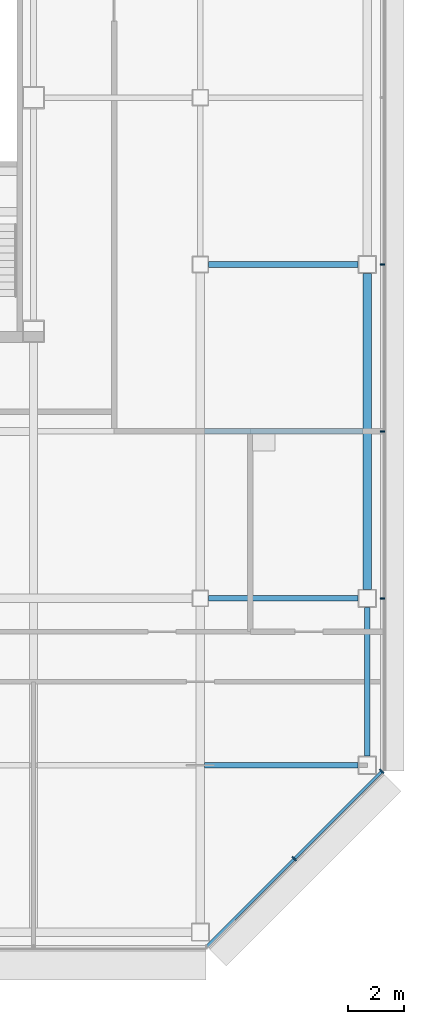
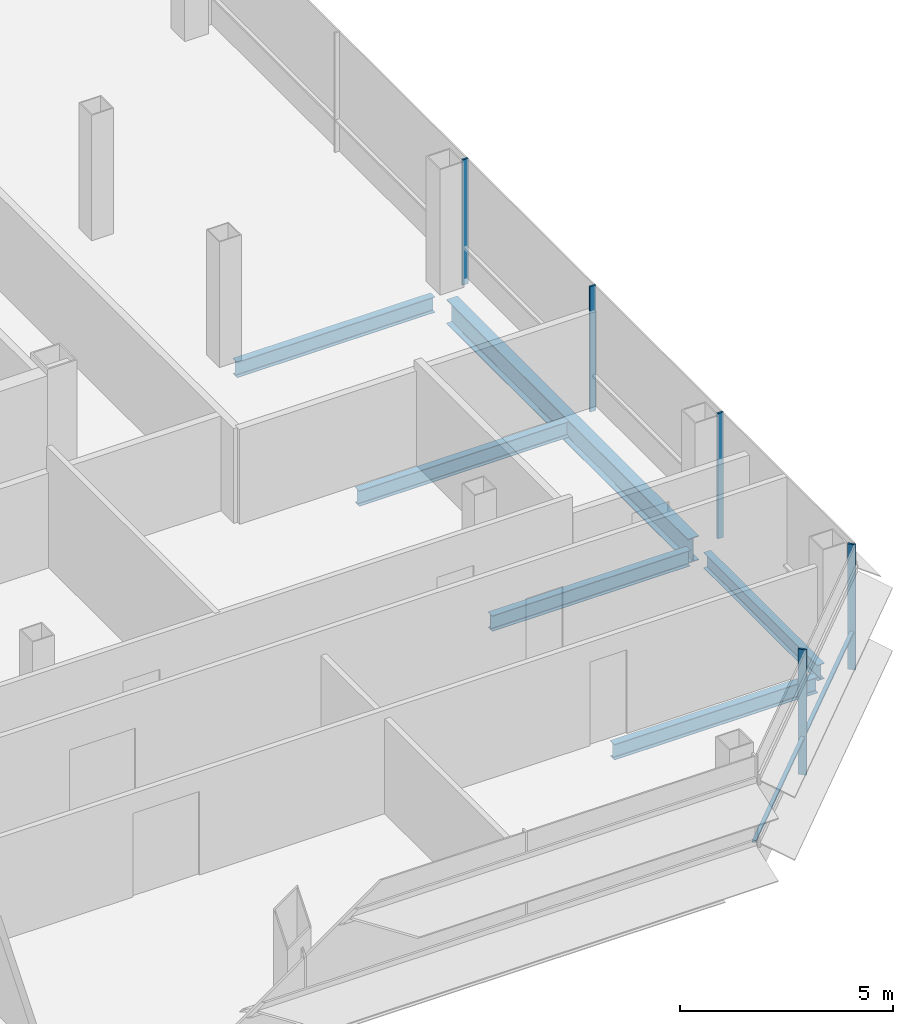
# One storey, part 16 of 26: 6 beams, 6 members, 2 elements without a shape of their own.
"""IFC4 building model written with IfcOpenShell, lengths in metres."""

from ifc_helpers import new_model, si_unit, direction, frame, origin, origin_2d, place, context, subcontext, project, spatial, rectangle, i_section, extrude, material, material_profile, profile_set, type_object, element, aggregate, save


model = new_model("IFC4")

# Units and contexts
model_context = context("Model", 3, precision=1e-05, world=origin(), true_north=direction((0.0, 1.0)))
body_context = subcontext(model_context, "Body", "Model", "MODEL_VIEW")
ifc_project = project(units=[si_unit("LENGTHUNIT", "METRE"), si_unit("AREAUNIT", "SQUARE_METRE"), si_unit("VOLUMEUNIT", "CUBIC_METRE"), si_unit("PLANEANGLEUNIT", "RADIAN"), si_unit("MASSUNIT", "GRAM", prefix="KILO")], contexts=[model_context])

# Site, building, storey
site_placement = place(None, origin())
site = spatial("IfcSite", under=ifc_project, at=site_placement, CompositionType="ELEMENT")
building_placement = place(site_placement, origin())
building = spatial("IfcBuilding", under=site, at=building_placement, Name="Sorahane Residences", CompositionType="ELEMENT")
storey_placement = place(building_placement, frame((0.0, 0.0, 222.60009765625)))
storey = spatial("IfcBuildingStorey", under=building, at=storey_placement, Name="L52", CompositionType="ELEMENT", Elevation=222.60009765625)

# Curtain wall, members
ifc_material_1 = material(Name="Dark low-e glass and black anodised aluminium", Category="aluminium")
curtain_wall_type_1 = type_object("IfcCurtainWallType", Name="Curtain wall CW-1 Typical unitised wall", PredefinedType="NOTDEFINED", material=ifc_material_1)
curtain_wall_1_placement = place(storey_placement, origin())
curtain_wall_1 = element("IfcCurtainWall", 1, at=curtain_wall_1_placement, inside=storey, type_object=curtain_wall_type_1, Name="CW-1 curtain wall L52 E1", PredefinedType="NOTDEFINED")
ifc_material_2 = material(Name="Black anodised aluminium", Category="aluminium")
ifc_material_profile_1 = material_profile(ifc_material_2, rectangle(XDim=0.159912109375, YDim=0.050048828125, at=origin_2d()), Name="Curtain wall mullion CW-1 black anodised aluminium 50x160")
ifc_profile_set_1 = profile_set([ifc_material_profile_1], Name="Black anodised aluminium")
member_type_1 = type_object("IfcMemberType", Name="Curtain wall mullion CW-1 black anodised aluminium 50x160", PredefinedType="MULLION", material=ifc_profile_set_1)
member_1_placement = place(storey_placement, frame((54.5400390625, 12.0, -0.18017578125), z_axis=(0.0, 0.0, 1.0), x_axis=(1.0, 0.0, 0.0)))
member_1 = element("IfcMember", 2, at=member_1_placement, type_object=member_type_1, Name="CW-1 mullion L52 E1.2", PredefinedType="MULLION", context=body_context, shape_type="SweptSolid", body=[
    extrude(rectangle(XDim=0.159912109375, YDim=0.050048828125, at=origin_2d()), origin(), (0.0, 0.0, 1.0), 3.60009765625),
])
member_2_placement = place(storey_placement, frame((54.5400390625, 18.0, -0.18017578125), z_axis=(0.0, 0.0, 1.0), x_axis=(1.0, 0.0, 0.0)))
member_2 = element("IfcMember", 3, at=member_2_placement, type_object=member_type_1, Name="CW-1 mullion L52 E1.3", PredefinedType="MULLION", context=body_context, shape_type="SweptSolid", body=[
    extrude(rectangle(XDim=0.159912109375, YDim=0.050048828125, at=origin_2d()), origin(), (0.0, 0.0, 1.0), 3.60009765625),
])
member_3_placement = place(storey_placement, frame((54.5400390625, 24.0, -0.18017578125), z_axis=(0.0, 0.0, 1.0), x_axis=(1.0, 0.0, 0.0)))
member_3 = element("IfcMember", 4, at=member_3_placement, type_object=member_type_1, Name="CW-1 mullion L52 E1.4", PredefinedType="MULLION", context=body_context, shape_type="SweptSolid", body=[
    extrude(rectangle(XDim=0.159912109375, YDim=0.050048828125, at=origin_2d()), origin(), (0.0, 0.0, 1.0), 3.60009765625),
])
aggregate(curtain_wall_1, [member_1, member_2, member_3])

ifc_material_3 = material(Name="Dark low-e glass and black anodised aluminium", Category="aluminium")
curtain_wall_type_2 = type_object("IfcCurtainWallType", Name="Curtain wall CW-2 Chamfer unitised wall", PredefinedType="NOTDEFINED", material=ifc_material_3)
curtain_wall_2_placement = place(storey_placement, origin())
curtain_wall_2 = element("IfcCurtainWall", 5, at=curtain_wall_2_placement, inside=storey, type_object=curtain_wall_type_2, Name="CW-2 curtain wall L52 SE1", PredefinedType="NOTDEFINED")
ifc_material_4 = material(Name="Black anodised aluminium", Category="aluminium")
ifc_material_profile_2 = material_profile(ifc_material_4, rectangle(XDim=0.199951171875, YDim=0.050048828125, at=origin_2d()), Name="Curtain wall mullion CW-2 black anodised aluminium 50x200")
ifc_profile_set_2 = profile_set([ifc_material_profile_2], Name="Black anodised aluminium")
member_type_2 = type_object("IfcMemberType", Name="Curtain wall mullion CW-2 black anodised aluminium 50x200", PredefinedType="MULLION", material=ifc_profile_set_2)
member_4_placement = place(storey_placement, frame((51.36767578125, 2.63232421875, -0.18017578125), z_axis=(0.0, 0.0, 1.0), x_axis=(0.707106781187, -0.707106781187, 0.0)))
member_4 = element("IfcMember", 6, at=member_4_placement, type_object=member_type_2, Name="CW-2 mullion L52 SE1.2", PredefinedType="MULLION", context=body_context, shape_type="SweptSolid", body=[
    extrude(rectangle(XDim=0.199951171875, YDim=0.050048828125, at=origin_2d()), origin(), (0.0, 0.0, 1.0), 3.60009765625),
])
member_5_placement = place(storey_placement, frame((54.525634765625, 5.790283203125, -0.18017578125), z_axis=(0.0, 0.0, 1.0), x_axis=(0.707106781187, -0.707106781187, 0.0)))
member_5 = element("IfcMember", 7, at=member_5_placement, type_object=member_type_2, Name="CW-2 mullion L52 SE1.3", PredefinedType="MULLION", context=body_context, shape_type="SweptSolid", body=[
    extrude(rectangle(XDim=0.199951171875, YDim=0.050048828125, at=origin_2d()), origin(), (0.0, 0.0, 1.0), 3.60009765625),
])
ifc_material_5 = material(Name="Black anodised aluminium", Category="aluminium")
ifc_material_profile_3 = material_profile(ifc_material_5, rectangle(XDim=0.10009765625, YDim=0.06005859375, at=origin_2d()), Name="Curtain wall transom CW-2 black anodised aluminium 60x100")
ifc_profile_set_3 = profile_set([ifc_material_profile_3], Name="Black anodised aluminium")
member_type_3 = type_object("IfcMemberType", Name="Curtain wall transom CW-2 black anodised aluminium 60x100", PredefinedType="USERDEFINED", material=ifc_profile_set_3)
member_6_placement = place(storey_placement, frame((48.234375, -0.51513671875, 0.89990234375), z_axis=(0.707106781187, 0.707106781187, 0.0), x_axis=(-0.707106781187, 0.707106781187, 0.0)))
member_6 = element("IfcMember", 8, at=member_6_placement, type_object=member_type_3, Name="CW-2 transom L52 SE1", ObjectType="TRANSOM", PredefinedType="USERDEFINED", context=body_context, shape_type="SweptSolid", body=[
    extrude(rectangle(XDim=0.10009765625, YDim=0.06005859375, at=origin_2d()), origin(), (0.0, 0.0, 1.0), 8.88232421875),
])
aggregate(curtain_wall_2, [member_4, member_5, member_6])

# Beams
ifc_material_6 = material(Name="Steel Q355B", Category="steel")
ifc_material_profile_4 = material_profile(ifc_material_6, i_section(OverallWidth=0.199951171875, OverallDepth=0.449951171875, WebThickness=0.009033203125, FlangeThickness=0.013916015625, FilletRadius=0.02001953125, at=origin_2d()), Name="HN 450x200x9x14")
ifc_profile_set_4 = profile_set([ifc_material_profile_4], Name="Steel Q355B")
beam_type_1 = type_object("IfcBeamType", Name="Steel floor beam HN 450x200x9x14 Q355B", PredefinedType="BEAM", material=ifc_profile_set_4)
for number, where, z_axis, x_axis, name in (
    (9, (48.300048828125, 12.0, -0.405029296875), (1.0, 0.0, 0.0), (0.0, 1.0, 0.0), "Beam L52 010"),
    (10, (48.300048828125, 24.0, -0.405029296875), (1.0, 0.0, 0.0), (0.0, 1.0, 0.0), "Beam L52 012"),
):
    element("IfcBeam", number, at=place(storey_placement, frame(where, z_axis=z_axis, x_axis=x_axis)), inside=storey, type_object=beam_type_1, Name=name, PredefinedType="BEAM", context=body_context, shape_type="SweptSolid", body=[
        extrude(i_section(OverallWidth=0.199951171875, OverallDepth=0.449951171875, WebThickness=0.009033203125, FlangeThickness=0.013916015625, FilletRadius=0.02001953125, at=origin_2d()), origin(), (0.0, 0.0, 1.0), 5.375),
    ])
beam_1_placement = place(storey_placement, frame((54.0, 6.324951171875, -0.405029296875), z_axis=(0.0, 1.0, 0.0), x_axis=(-1.0, 0.0, 0.0)))
element("IfcBeam", 11, at=beam_1_placement, inside=storey, type_object=beam_type_1, Name="Beam L52 064", PredefinedType="BEAM", context=body_context, shape_type="SweptSolid", body=[
    extrude(i_section(OverallWidth=0.199951171875, OverallDepth=0.449951171875, WebThickness=0.009033203125, FlangeThickness=0.013916015625, FilletRadius=0.02001953125, at=origin_2d()), origin(), (0.0, 0.0, 1.0), 5.35009765625),
])
beam_2_placement = place(storey_placement, frame((48.14990234375, 6.0, -0.405029296875), z_axis=(1.0, 0.0, 0.0), x_axis=(0.0, 1.0, 0.0)))
element("IfcBeam", 12, at=beam_2_placement, inside=storey, type_object=beam_type_1, Name="Beam L52 077", PredefinedType="BEAM", context=body_context, shape_type="SweptSolid", body=[
    extrude(i_section(OverallWidth=0.199951171875, OverallDepth=0.449951171875, WebThickness=0.009033203125, FlangeThickness=0.013916015625, FilletRadius=0.02001953125, at=origin_2d()), origin(), (0.0, 0.0, 1.0), 5.525146484375),
])
beam_3_placement = place(storey_placement, frame((48.14990234375, 18.0, -0.405029296875), z_axis=(1.0, 0.0, 0.0), x_axis=(0.0, 1.0, 0.0)))
element("IfcBeam", 13, at=beam_3_placement, inside=storey, type_object=beam_type_1, Name="Beam L52 084", PredefinedType="BEAM", context=body_context, shape_type="SweptSolid", body=[
    extrude(i_section(OverallWidth=0.199951171875, OverallDepth=0.449951171875, WebThickness=0.009033203125, FlangeThickness=0.013916015625, FilletRadius=0.02001953125, at=origin_2d()), origin(), (0.0, 0.0, 1.0), 5.7001953125),
])
ifc_material_7 = material(Name="Steel Q355B", Category="steel")
ifc_material_profile_5 = material_profile(ifc_material_7, i_section(OverallWidth=0.300048828125, OverallDepth=0.699951171875, WebThickness=0.012939453125, FlangeThickness=0.02392578125, FilletRadius=0.028076171875, at=origin_2d()), Name="HN 700x300x13x24")
ifc_profile_set_5 = profile_set([ifc_material_profile_5], Name="Steel Q355B")
beam_type_2 = type_object("IfcBeamType", Name="Steel floor beam HN 700x300x13x24 Q355B", PredefinedType="BEAM", material=ifc_profile_set_5)
beam_4_placement = place(storey_placement, frame((54.0, 12.324951171875, -0.530029296875), z_axis=(0.0, 1.0, 0.0), x_axis=(-1.0, 0.0, 0.0)))
element("IfcBeam", 14, at=beam_4_placement, inside=storey, type_object=beam_type_2, Name="Beam L52 065", PredefinedType="BEAM", context=body_context, shape_type="SweptSolid", body=[
    extrude(i_section(OverallWidth=0.300048828125, OverallDepth=0.699951171875, WebThickness=0.012939453125, FlangeThickness=0.02392578125, FilletRadius=0.028076171875, at=origin_2d()), origin(), (0.0, 0.0, 1.0), 11.35009765625),
])

save(model, "model.ifc")
